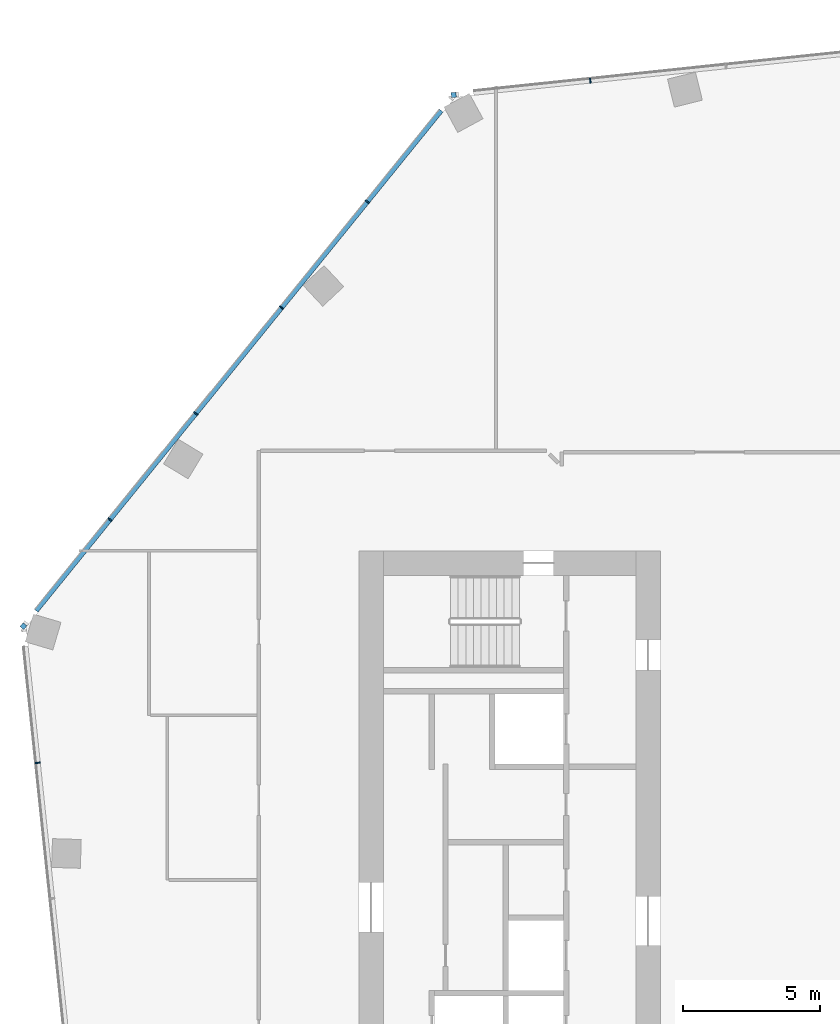
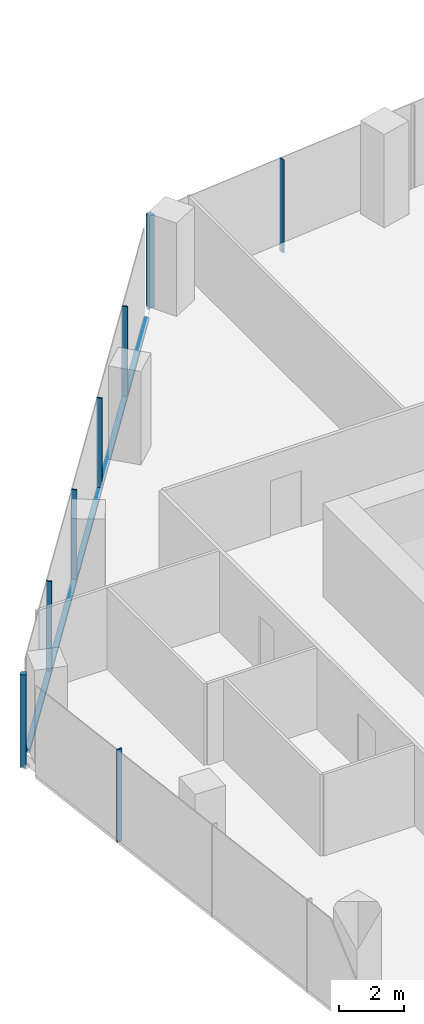
# One storey, part 10 of 26: 9 members, 3 elements without a shape of their own.
"""IFC4 building model written with IfcOpenShell, lengths in metres."""

from ifc_helpers import new_model, si_unit, direction, frame, origin, origin_2d, place, context, subcontext, project, spatial, rectangle, extrude, material, material_profile, profile_set, type_object, element, aggregate, save


model = new_model("IFC4")

# Units and contexts
model_context = context("Model", 3, precision=1e-05, world=origin(), true_north=direction((0.0, 1.0)))
body_context = subcontext(model_context, "Body", "Model", "MODEL_VIEW")
ifc_project = project(units=[si_unit("LENGTHUNIT", "METRE"), si_unit("AREAUNIT", "SQUARE_METRE"), si_unit("VOLUMEUNIT", "CUBIC_METRE"), si_unit("PLANEANGLEUNIT", "RADIAN"), si_unit("MASSUNIT", "GRAM", prefix="KILO")], contexts=[model_context])

# Site, building, storey
site_placement = place(None, origin())
site = spatial("IfcSite", under=ifc_project, at=site_placement, CompositionType="ELEMENT")
building_placement = place(site_placement, origin())
building = spatial("IfcBuilding", under=site, at=building_placement, Name="Orlundy Tower", CompositionType="ELEMENT")
storey_placement = place(building_placement, frame((0.0, 0.0, 214.0)))
storey = spatial("IfcBuildingStorey", under=building, at=storey_placement, Name="L56", CompositionType="ELEMENT", Elevation=214.0)

# Curtain wall, member
ifc_material_1 = material(Name="Aluminium bronze anodised", Category="aluminium")
curtain_wall_type = type_object("IfcCurtainWallType", Name="CW1 wall", PredefinedType="NOTDEFINED", material=ifc_material_1)
curtain_wall_1_placement = place(storey_placement, origin())
curtain_wall_1 = element("IfcCurtainWall", 1, at=curtain_wall_1_placement, inside=storey, type_object=curtain_wall_type, Name="CW1 run 03", PredefinedType="NOTDEFINED")
ifc_material_2 = material(Name="Aluminium bronze anodised", Category="aluminium")
ifc_material_profile_1 = material_profile(ifc_material_2, rectangle(XDim=0.179931640625, YDim=0.179931640625, at=origin_2d()), Name="CW1 corner post 180x180")
ifc_profile_set_1 = profile_set([ifc_material_profile_1], Name="Aluminium bronze anodised")
member_type_1 = type_object("IfcMemberType", Name="CW1 corner post 180x180", PredefinedType="MULLION", material=ifc_profile_set_1)
member_1_placement = place(storey_placement, frame((-31.228515625, 9.249755859375, -0.39990234375), z_axis=(0.0, 0.0, 1.0), x_axis=(-0.777145540374, 0.629320911043, 0.0)))
member_1 = element("IfcMember", 2, at=member_1_placement, type_object=member_type_1, Name="CW1 mullion 14", PredefinedType="MULLION", context=body_context, shape_type="SweptSolid", body=[
    extrude(rectangle(XDim=0.179931640625, YDim=0.179931640625, at=origin_2d()), origin(), (0.0, 0.0, 1.0), 3.47998046875),
])

curtain_wall_2_placement = place(storey_placement, origin())
curtain_wall_2 = element("IfcCurtainWall", 3, at=curtain_wall_2_placement, inside=storey, type_object=curtain_wall_type, Name="CW1 run 04", PredefinedType="NOTDEFINED")
member_2_placement = place(storey_placement, frame((-15.54052734375, 28.62255859375, -0.39990234375), z_axis=(0.0, 0.0, 1.0), x_axis=(-0.104538162943, 0.994520875843, 0.0)))
member_2 = element("IfcMember", 4, at=member_2_placement, type_object=member_type_1, Name="CW1 mullion 19", PredefinedType="MULLION", context=body_context, shape_type="SweptSolid", body=[
    extrude(rectangle(XDim=0.179931640625, YDim=0.179931640625, at=origin_2d()), origin(), (0.0, 0.0, 1.0), 3.47998046875),
])

curtain_wall_3_placement = place(storey_placement, origin())
curtain_wall_3 = element("IfcCurtainWall", 5, at=curtain_wall_3_placement, inside=storey, type_object=curtain_wall_type, Name="CW1 run 02", PredefinedType="NOTDEFINED")
ifc_material_3 = material(Name="Aluminium bronze anodised", Category="aluminium")
ifc_material_profile_2 = material_profile(ifc_material_3, rectangle(XDim=0.179931640625, YDim=0.050048828125, at=origin_2d()), Name="CW1 mullion 50x180")
ifc_profile_set_2 = profile_set([ifc_material_profile_2], Name="Aluminium bronze anodised")
member_type_2 = type_object("IfcMemberType", Name="CW1 mullion 50x180", PredefinedType="MULLION", material=ifc_profile_set_2)
member_3_placement = place(storey_placement, frame((-30.704833984375, 4.269287109375, -0.39990234375), z_axis=(0.0, 0.0, 1.0), x_axis=(-0.994520875843, -0.104538162943, 0.0)))
member_3 = element("IfcMember", 6, at=member_3_placement, type_object=member_type_2, Name="CW1 mullion 13", PredefinedType="MULLION", context=body_context, shape_type="SweptSolid", body=[
    extrude(rectangle(XDim=0.179931640625, YDim=0.050048828125, at=origin_2d()), origin(), (0.0, 0.0, 1.0), 3.47998046875),
])
aggregate(curtain_wall_3, [member_3])

# Member
member_4_placement = place(storey_placement, frame((-28.07666015625, 13.1416015625, -0.39990234375), z_axis=(0.0, 0.0, 1.0), x_axis=(-0.777145540374, 0.629320911043, 0.0)))
member_4 = element("IfcMember", 7, at=member_4_placement, type_object=member_type_2, Name="CW1 mullion 15", PredefinedType="MULLION", context=body_context, shape_type="SweptSolid", body=[
    extrude(rectangle(XDim=0.179931640625, YDim=0.050048828125, at=origin_2d()), origin(), (0.0, 0.0, 1.0), 3.47998046875),
])

member_5_placement = place(storey_placement, frame((-24.948486328125, 17.004638671875, -0.39990234375), z_axis=(0.0, 0.0, 1.0), x_axis=(-0.777145540374, 0.629320911043, 0.0)))
member_5 = element("IfcMember", 8, at=member_5_placement, type_object=member_type_2, Name="CW1 mullion 16", PredefinedType="MULLION", context=body_context, shape_type="SweptSolid", body=[
    extrude(rectangle(XDim=0.179931640625, YDim=0.050048828125, at=origin_2d()), origin(), (0.0, 0.0, 1.0), 3.47998046875),
])

member_6_placement = place(storey_placement, frame((-21.8203125, 20.86767578125, -0.39990234375), z_axis=(0.0, 0.0, 1.0), x_axis=(-0.777145540374, 0.629320911043, 0.0)))
member_6 = element("IfcMember", 9, at=member_6_placement, type_object=member_type_2, Name="CW1 mullion 17", PredefinedType="MULLION", context=body_context, shape_type="SweptSolid", body=[
    extrude(rectangle(XDim=0.179931640625, YDim=0.050048828125, at=origin_2d()), origin(), (0.0, 0.0, 1.0), 3.47998046875),
])

member_7_placement = place(storey_placement, frame((-18.692138671875, 24.730712890625, -0.39990234375), z_axis=(0.0, 0.0, 1.0), x_axis=(-0.777145540374, 0.629320911043, 0.0)))
member_7 = element("IfcMember", 10, at=member_7_placement, type_object=member_type_2, Name="CW1 mullion 18", PredefinedType="MULLION", context=body_context, shape_type="SweptSolid", body=[
    extrude(rectangle(XDim=0.179931640625, YDim=0.050048828125, at=origin_2d()), origin(), (0.0, 0.0, 1.0), 3.47998046875),
])

member_8_placement = place(storey_placement, frame((-10.560302734375, 29.14599609375, -0.39990234375), z_axis=(0.0, 0.0, 1.0), x_axis=(-0.104538162943, 0.994520875843, 0.0)))
member_8 = element("IfcMember", 11, at=member_8_placement, type_object=member_type_2, Name="CW1 mullion 20", PredefinedType="MULLION", context=body_context, shape_type="SweptSolid", body=[
    extrude(rectangle(XDim=0.179931640625, YDim=0.050048828125, at=origin_2d()), origin(), (0.0, 0.0, 1.0), 3.47998046875),
])

aggregate(curtain_wall_2, [member_2, member_8])

ifc_material_4 = material(Name="Aluminium bronze anodised", Category="aluminium")
ifc_material_profile_3 = material_profile(ifc_material_4, rectangle(XDim=0.179931640625, YDim=0.1201171875, at=origin_2d()), Name="CW1 transom 180x120")
ifc_profile_set_3 = profile_set([ifc_material_profile_3], Name="Aluminium bronze anodised")
member_type_3 = type_object("IfcMemberType", Name="CW1 transom 180x120", PredefinedType="USERDEFINED", material=ifc_profile_set_3)
member_9_placement = place(storey_placement, frame((-30.768310546875, 9.81787109375, -0.340087890625), z_axis=(0.629325117988, 0.777142133634, 0.0), x_axis=(-0.777142133634, 0.629325117988, 0.0)))
member_9 = element("IfcMember", 12, at=member_9_placement, type_object=member_type_3, Name="CW1 transom", ObjectType="TRANSOM", PredefinedType="USERDEFINED", context=body_context, shape_type="SweptSolid", body=[
    extrude(rectangle(XDim=0.179931640625, YDim=0.1201171875, at=origin_2d()), origin(), (0.0, 0.0, 1.0), 23.466552734375),
])

aggregate(curtain_wall_1, [member_1, member_4, member_5, member_6, member_7, member_9])

save(model, "model.ifc")
